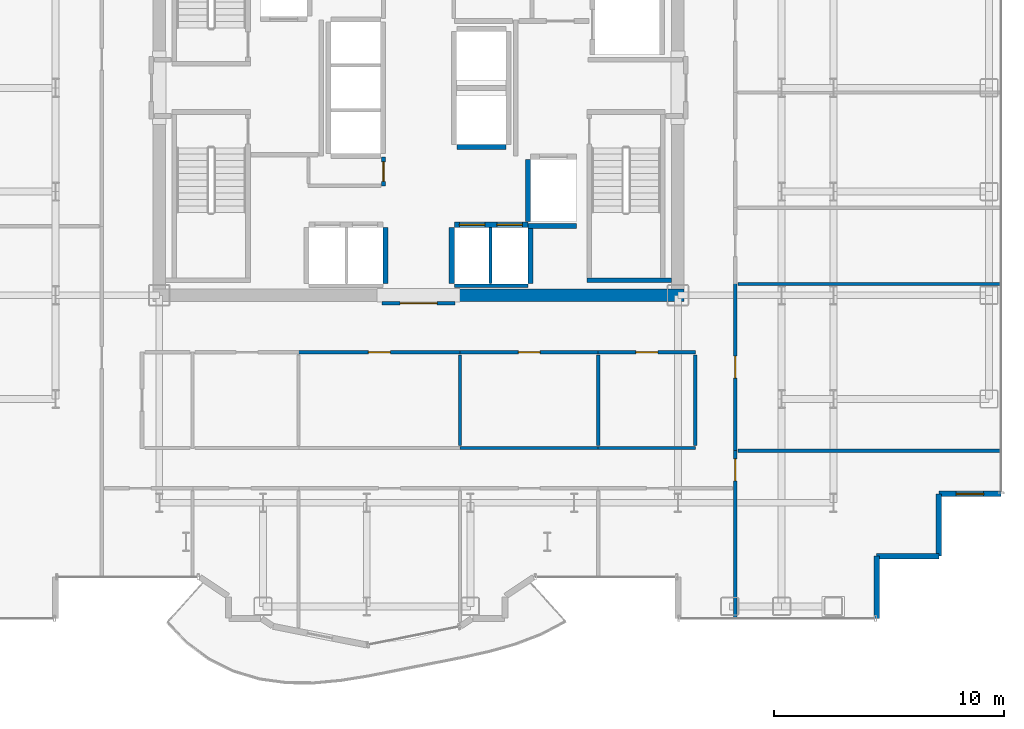
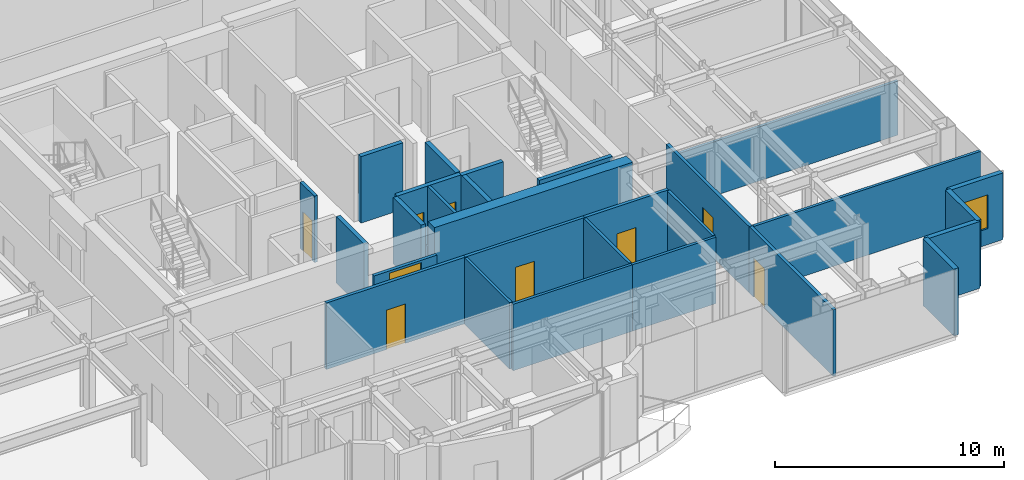
# One storey, part 17 of 22: 29 walls, 9 doors, 1 window, 10 openings.
"""IFC4 building model written with IfcOpenShell, lengths in metres."""

from ifc_helpers import new_model, si_unit, direction, frame, frame_2d, origin, place, context, subcontext, project, spatial, rectangle, extrude, source, transform, mapped, material, layer, layer_set, type_object, element, fill, save


model = new_model("IFC4")

# Units and contexts
model_context = context("Model", 3, precision=1e-05, world=origin(), true_north=direction((0.0, 1.0)))
body_context = subcontext(model_context, "Body", "Model", "MODEL_VIEW")
ifc_project = project(units=[si_unit("LENGTHUNIT", "METRE"), si_unit("AREAUNIT", "SQUARE_METRE"), si_unit("VOLUMEUNIT", "CUBIC_METRE"), si_unit("PLANEANGLEUNIT", "RADIAN"), si_unit("MASSUNIT", "GRAM", prefix="KILO")], contexts=[model_context])

# Site, building, storey
site_placement = place(None, origin())
site = spatial("IfcSite", under=ifc_project, at=site_placement, CompositionType="ELEMENT")
building_placement = place(site_placement, origin())
building = spatial("IfcBuilding", under=site, at=building_placement, Name="Nefas-Gora Pilgrimage Tower", CompositionType="ELEMENT")
storey_placement = place(building_placement, frame((0.0, 0.0, 179.199951171875)))
storey = spatial("IfcBuildingStorey", under=building, at=storey_placement, Name="L44", CompositionType="ELEMENT", Elevation=179.199951171875)

# Walls
ifc_material_1 = material(Name="Concrete C60/75", Category="concrete")
ifc_layer_1 = layer(ifc_material_1, 0.550048828125)
ifc_layer_set_1 = layer_set([ifc_layer_1], Name="Concrete C60/75")
wall_type_1 = type_object("IfcWallType", Name="SW-CORE-550", PredefinedType="SHEAR", material=ifc_layer_set_1)
shared_shape_1 = source(origin(), body_context, "Body", "SweptSolid", [
    extrude(rectangle(XDim=9.974853515625, YDim=0.550048828125, at=frame_2d((4.9873046875, 0.0))), origin(), (0.0, 0.0, 1.0), 3.800048828125),
])
wall_1_placement = place(storey_placement, frame((1.550048828125, -9.0, 0.0), z_axis=(0.0, 0.0, 1.0), x_axis=(1.0, 0.0, 0.0)))
element("IfcWall", 1, at=wall_1_placement, inside=storey, type_object=wall_type_1, Name="L44 Core Shear Wall S-East", PredefinedType="SHEAR", context=body_context, shape_type="MappedRepresentation", body=[
    mapped(shared_shape_1, transform((0.0, 0.0, 0.0), x_axis=(1.0, 0.0, 0.0), y_axis=(0.0, 1.0, 0.0), z_axis=(0.0, 0.0, 1.0), scale=1.0)),
])
ifc_material_2 = material(Name="Precast concrete C45/55", Category="concrete")
ifc_layer_2 = layer(ifc_material_2, 0.239990234375)
ifc_layer_set_2 = layer_set([ifc_layer_2], Name="Precast concrete C45/55")
wall_type_2 = type_object("IfcWallType", Name="EW-SERR-240", PredefinedType="SHEAR", material=ifc_layer_set_2)
shared_shape_2 = source(origin(), body_context, "Body", "SweptSolid", [
    extrude(rectangle(XDim=2.699951171875, YDim=0.239990234375, at=frame_2d((1.35009765625, 0.0))), origin(), (0.0, 0.0, 1.0), 3.550048828125),
])
for number, where, z_axis, x_axis, name in (
    (2, (19.8701171875, -23.02001953125, 0.0), (0.0, 0.0, 1.0), (0.0, 1.0, 0.0), "L44 Serrated Corner Shear Pier Wall 2"),
    (3, (19.8701171875, -20.320068359375, 0.0), (0.0, 0.0, 1.0), (1.0, 0.0, 0.0), "L44 Serrated Corner Shear Pier Wall 3"),
    (4, (22.570068359375, -20.320068359375, 0.0), (0.0, 0.0, 1.0), (0.0, 1.0, 0.0), "L44 Serrated Corner Shear Pier Wall 4"),
):
    element("IfcWall", number, at=place(storey_placement, frame(where, z_axis=z_axis, x_axis=x_axis)), inside=storey, type_object=wall_type_2, Name=name, PredefinedType="SHEAR", context=body_context, shape_type="MappedRepresentation", body=[
        mapped(shared_shape_2, transform((0.0, 0.0, 0.0), x_axis=(1.0, 0.0, 0.0), y_axis=(0.0, 1.0, 0.0), z_axis=(0.0, 0.0, 1.0), scale=1.0)),
    ])

# Wall, opening, window
wall_2_placement = place(storey_placement, frame((22.570068359375, -17.6201171875, 0.0), z_axis=(0.0, 0.0, 1.0), x_axis=(1.0, 0.0, 0.0)))
wall_2 = element("IfcWall", 5, at=wall_2_placement, inside=storey, type_object=wall_type_2, Name="L44 Serrated Corner Shear Pier Wall 5", PredefinedType="SHEAR", context=body_context, shape_type="MappedRepresentation", body=[
    mapped(shared_shape_2, transform((0.0, 0.0, 0.0), x_axis=(1.0, 0.0, 0.0), y_axis=(0.0, 1.0, 0.0), z_axis=(0.0, 0.0, 1.0), scale=1.0)),
])
opening_1_placement = place(wall_2_placement, frame((0.75, 0.0, 0.85009765625)))
opening_1 = element("IfcOpeningElement", 6, at=opening_1_placement, cuts=wall_2, Name="Opening W-V1", PredefinedType="OPENING", context=body_context, shape_type="SweptSolid", body=[
    extrude(rectangle(XDim=1.199951171875, YDim=1.800048828125, at=frame_2d((0.60009765625, 0.89990234375))), frame((0.0, 0.1298828125, 0.0), z_axis=(0.0, -1.0, 0.0), x_axis=(1.0, 0.0, 0.0)), (0.0, 0.0, 1.0), 0.260009765625),
])
ifc_material_3 = material(Name="Dark ceramic-fritted operable aluminium-glass window", Category="aluminium")
window_type = type_object("IfcWindowType", Name="WIN-VENT-1200x1800", PartitioningType="SINGLE_PANEL", PredefinedType="WINDOW", material=ifc_material_3)
shared_shape_3 = source(origin(), body_context, "Body", "SweptSolid", [
    extrude(rectangle(XDim=1.199951171875, YDim=1.800048828125, at=frame_2d((0.60009765625, 0.89990234375))), frame((0.0, 0.030029296875, 0.0), z_axis=(0.0, -1.0, 0.0), x_axis=(1.0, 0.0, 0.0)), (0.0, 0.0, 1.0), 0.06005859375),
])
window_placement = place(opening_1_placement, origin())
window = element("IfcWindow", 7, at=window_placement, inside=storey, type_object=window_type, Name="L44 Operable Parallel-Outswing Window 5", OverallHeight=1.800048828125, OverallWidth=1.199951171875, PartitioningType="SINGLE_PANEL", PredefinedType="WINDOW", context=body_context, shape_type="MappedRepresentation", body=[
    mapped(shared_shape_3, transform((0.0, 0.0, 0.0), x_axis=(1.0, 0.0, 0.0), y_axis=(0.0, 1.0, 0.0), z_axis=(0.0, 0.0, 1.0), scale=1.0)),
])
fill(opening_1, window)

# Walls
ifc_material_4 = material(Name="Concrete C45/55", Category="concrete")
ifc_layer_3 = layer(ifc_material_4, 0.199951171875)
ifc_layer_set_3 = layer_set([ifc_layer_3], Name="Concrete C45/55")
wall_type_3 = type_object("IfcWallType", Name="IW-STAIR-200", PredefinedType="SOLIDWALL", material=ifc_layer_set_3)
shared_shape_4 = source(origin(), body_context, "Body", "SweptSolid", [
    extrude(rectangle(XDim=3.679931640625, YDim=0.199951171875, at=frame_2d((1.83984375, 0.0))), origin(), (0.0, 0.0, 1.0), 3.800048828125),
])
wall_3_placement = place(storey_placement, frame((7.300048828125, -8.35009765625, 0.0), z_axis=(0.0, 0.0, 1.0), x_axis=(1.0, 0.0, 0.0)))
element("IfcWall", 8, at=wall_3_placement, inside=storey, type_object=wall_type_3, Name="L44 Stairwell Shear Wall ST-02-far", PredefinedType="SOLIDWALL", context=body_context, shape_type="MappedRepresentation", body=[
    mapped(shared_shape_4, transform((0.0, 0.0, 0.0), x_axis=(1.0, 0.0, 0.0), y_axis=(0.0, 1.0, 0.0), z_axis=(0.0, 0.0, 1.0), scale=1.0)),
])
ifc_material_5 = material(Name="Gypsum acoustic stud partition")
ifc_layer_4 = layer(ifc_material_5, 0.159912109375)
ifc_layer_set_4 = layer_set([ifc_layer_4], Name="Gypsum acoustic stud partition")
wall_type_4 = type_object("IfcWallType", Name="IW-CORR-160", PredefinedType="PARTITIONING", material=ifc_layer_set_4)
shared_shape_5 = source(origin(), body_context, "Body", "SweptSolid", [
    extrude(rectangle(XDim=3.199951171875, YDim=0.159912109375, at=frame_2d((1.60009765625, 0.0))), origin(), (0.0, 0.0, 1.0), 2.425048828125),
])
wall_4_placement = place(storey_placement, frame((1.550048828125, -8.580078125, 0.0), z_axis=(0.0, 0.0, 1.0), x_axis=(1.0, 0.0, 0.0)))
element("IfcWall", 9, at=wall_4_placement, inside=storey, type_object=wall_type_4, Name="L44 Hoistway Wall PL2-E-S", PredefinedType="PARTITIONING", context=body_context, shape_type="MappedRepresentation", body=[
    mapped(shared_shape_5, transform((0.0, 0.0, 0.0), x_axis=(1.0, 0.0, 0.0), y_axis=(0.0, 1.0, 0.0), z_axis=(0.0, 0.0, 1.0), scale=1.0)),
])
ifc_material_6 = material(Name="Concrete C40/50", Category="concrete")
ifc_layer_5 = layer(ifc_material_6, 0.219970703125)
ifc_layer_set_5 = layer_set([ifc_layer_5], Name="Concrete C40/50")
wall_type_5 = type_object("IfcWallType", Name="IW-SHAFT-220", PredefinedType="SOLIDWALL", material=ifc_layer_set_5)
shared_shape_6 = source(origin(), body_context, "Body", "SweptSolid", [
    extrude(rectangle(XDim=2.679931640625, YDim=0.219970703125, at=frame_2d((1.33984375, 0.0))), origin(), (0.0, 0.0, 1.0), 3.53515625),
])
wall_5_placement = place(storey_placement, frame((4.739990234375, -3.110107421875, 0.0), z_axis=(0.0, 0.0, 1.0), x_axis=(0.0, -1.0, 0.0)))
element("IfcWall", 10, at=wall_5_placement, inside=storey, type_object=wall_type_5, Name="L44 Hoistway Wall FFL-02-W", PredefinedType="SOLIDWALL", context=body_context, shape_type="MappedRepresentation", body=[
    mapped(shared_shape_6, transform((0.0, 0.0, 0.0), x_axis=(1.0, 0.0, 0.0), y_axis=(0.0, 1.0, 0.0), z_axis=(0.0, 0.0, 1.0), scale=1.0)),
])

# Wall, openings, doors
shared_shape_7 = source(origin(), body_context, "Body", "SweptSolid", [
    extrude(rectangle(XDim=3.199951171875, YDim=0.219970703125, at=frame_2d((1.60009765625, 0.0))), origin(), (0.0, 0.0, 1.0), 3.53515625),
])
wall_6_placement = place(storey_placement, frame((4.75, -5.93994140625, 0.0), z_axis=(0.0, 0.0, 1.0), x_axis=(-1.0, 0.0, 0.0)))
wall_6 = element("IfcWall", 11, at=wall_6_placement, inside=storey, type_object=wall_type_5, Name="L44 Hoistway Wall PL2-E-N", PredefinedType="SOLIDWALL", context=body_context, shape_type="MappedRepresentation", body=[
    mapped(shared_shape_7, transform((0.0, 0.0, 0.0), x_axis=(1.0, 0.0, 0.0), y_axis=(0.0, 1.0, 0.0), z_axis=(0.0, 0.0, 1.0), scale=1.0)),
])
opening_2_placement = place(wall_6_placement, frame((1.875, 0.0, 0.0)))
opening_2 = element("IfcOpeningElement", 12, at=opening_2_placement, cuts=wall_6, Name="Opening LD-01", PredefinedType="OPENING", context=body_context, shape_type="SweptSolid", body=[
    extrude(rectangle(XDim=1.10009765625, YDim=2.199951171875, at=frame_2d((0.550048828125, 1.10009765625))), frame((0.0, 0.119873046875, 0.0), z_axis=(0.0, -1.0, 0.0), x_axis=(1.0, 0.0, 0.0)), (0.0, 0.0, 1.0), 0.239990234375),
])
opening_3_placement = place(wall_6_placement, frame((0.25, 0.0, 0.0)))
opening_3 = element("IfcOpeningElement", 13, at=opening_3_placement, cuts=wall_6, Name="Opening LD-01", PredefinedType="OPENING", context=body_context, shape_type="SweptSolid", body=[
    extrude(rectangle(XDim=1.10009765625, YDim=2.199951171875, at=frame_2d((0.550048828125, 1.10009765625))), frame((0.0, 0.119873046875, 0.0), z_axis=(0.0, -1.0, 0.0), x_axis=(1.0, 0.0, 0.0)), (0.0, 0.0, 1.0), 0.239990234375),
])
ifc_material_7 = material(Name="Brushed stainless sliding lift landing door")
door_type_1 = type_object("IfcDoorType", Name="DR-LIFT-PASS-1100", OperationType="DOUBLE_DOOR_SLIDING", PredefinedType="DOOR", material=ifc_material_7)
shared_shape_8 = source(origin(), body_context, "Body", "SweptSolid", [
    extrude(rectangle(XDim=1.10009765625, YDim=2.199951171875, at=frame_2d((0.550048828125, 1.10009765625))), frame((0.0, 0.02490234375, 0.0), z_axis=(0.0, -1.0, 0.0), x_axis=(1.0, 0.0, 0.0)), (0.0, 0.0, 1.0), 0.050048828125),
])
door_1_placement = place(opening_2_placement, origin())
door_1 = element("IfcDoor", 14, at=door_1_placement, inside=storey, type_object=door_type_1, Name="L44 Sliding Lift Landing Door PL2-03", OperationType="DOUBLE_DOOR_SLIDING", OverallHeight=2.199951171875, OverallWidth=1.10009765625, PredefinedType="DOOR", context=body_context, shape_type="MappedRepresentation", body=[
    mapped(shared_shape_8, transform((0.0, 0.0, 0.0), x_axis=(1.0, 0.0, 0.0), y_axis=(0.0, 1.0, 0.0), z_axis=(0.0, 0.0, 1.0), scale=1.0)),
])
fill(opening_2, door_1)
door_2_placement = place(opening_3_placement, origin())
door_2 = element("IfcDoor", 15, at=door_2_placement, inside=storey, type_object=door_type_1, Name="L44 Sliding Lift Landing Door PL2-04", OperationType="DOUBLE_DOOR_SLIDING", OverallHeight=2.199951171875, OverallWidth=1.10009765625, PredefinedType="DOOR", context=body_context, shape_type="MappedRepresentation", body=[
    mapped(shared_shape_8, transform((0.0, 0.0, 0.0), x_axis=(1.0, 0.0, 0.0), y_axis=(0.0, 1.0, 0.0), z_axis=(0.0, 0.0, 1.0), scale=1.0)),
])
fill(opening_3, door_2)

# Walls
shared_shape_9 = source(origin(), body_context, "Body", "SweptSolid", [
    extrude(rectangle(XDim=2.429931640625, YDim=0.219970703125, at=frame_2d((1.21484375, 0.0))), origin(), (0.0, 0.0, 1.0), 3.53515625),
])
for number, where, z_axis, x_axis, name in (
    (16, (-1.43994140625, -8.489990234375, 0.0), (0.0, 0.0, 1.0), (0.0, 1.0, 0.0), "L44 Hoistway Wall PL2-W-E"),
    (17, (1.43994140625, -6.06005859375, 0.0), (0.0, 0.0, 1.0), (0.0, -1.0, 0.0), "L44 Hoistway Wall PL2-E-W"),
    (18, (4.860107421875, -8.489990234375, 0.0), (0.0, 0.0, 1.0), (0.0, 1.0, 0.0), "L44 Hoistway Wall PL2-E-E"),
):
    element("IfcWall", number, at=place(storey_placement, frame(where, z_axis=z_axis, x_axis=x_axis)), inside=storey, type_object=wall_type_5, Name=name, PredefinedType="SOLIDWALL", context=body_context, shape_type="MappedRepresentation", body=[
        mapped(shared_shape_9, transform((0.0, 0.0, 0.0), x_axis=(1.0, 0.0, 0.0), y_axis=(0.0, 1.0, 0.0), z_axis=(0.0, 0.0, 1.0), scale=1.0)),
    ])
ifc_material_8 = material(Name="Gypsum twin-stud partition")
ifc_layer_6 = layer(ifc_material_8, 0.139892578125)
ifc_layer_set_6 = layer_set([ifc_layer_6], Name="Gypsum twin-stud partition")
wall_type_6 = type_object("IfcWallType", Name="IW-UNIT-140", PredefinedType="PARTITIONING", material=ifc_layer_set_6)
shared_shape_10 = source(origin(), body_context, "Body", "SweptSolid", [
    extrude(rectangle(XDim=2.429931640625, YDim=0.139892578125, at=frame_2d((1.21484375, 0.0))), origin(), (0.0, 0.0, 1.0), 3.53515625),
])
wall_7_placement = place(storey_placement, frame((3.125, -8.489990234375, 0.0), z_axis=(0.0, 0.0, 1.0), x_axis=(0.0, 1.0, 0.0)))
element("IfcWall", 19, at=wall_7_placement, inside=storey, type_object=wall_type_6, Name="L44 Hoistway Wall PL2-E-DIV", PredefinedType="PARTITIONING", context=body_context, shape_type="MappedRepresentation", body=[
    mapped(shared_shape_10, transform((0.0, 0.0, 0.0), x_axis=(1.0, 0.0, 0.0), y_axis=(0.0, 1.0, 0.0), z_axis=(0.0, 0.0, 1.0), scale=1.0)),
])
shared_shape_11 = source(origin(), body_context, "Body", "SweptSolid", [
    extrude(rectangle(XDim=2.130126953125, YDim=0.219970703125, at=frame_2d((1.06494140625, 0.0))), origin(), (0.0, 0.0, 1.0), 3.53515625),
])
wall_8_placement = place(storey_placement, frame((1.659912109375, -2.56005859375, 0.0), z_axis=(0.0, 0.0, 1.0), x_axis=(1.0, 0.0, 0.0)))
element("IfcWall", 20, at=wall_8_placement, inside=storey, type_object=wall_type_5, Name="L44 Hoistway Wall OBS-01-S", PredefinedType="SOLIDWALL", context=body_context, shape_type="MappedRepresentation", body=[
    mapped(shared_shape_11, transform((0.0, 0.0, 0.0), x_axis=(1.0, 0.0, 0.0), y_axis=(0.0, 1.0, 0.0), z_axis=(0.0, 0.0, 1.0), scale=1.0)),
])
shared_shape_12 = source(origin(), body_context, "Body", "SweptSolid", [
    extrude(rectangle(XDim=2.09521484375, YDim=0.219970703125, at=frame_2d((1.047607421875, 0.0))), origin(), (0.0, 0.0, 1.0), 3.53515625),
])
wall_9_placement = place(storey_placement, frame((4.7548828125, -6.0, 0.0), z_axis=(0.0, 0.0, 1.0), x_axis=(1.0, 0.0, 0.0)))
element("IfcWall", 21, at=wall_9_placement, inside=storey, type_object=wall_type_5, Name="L44 Riser Shaft Wall 3", PredefinedType="SOLIDWALL", context=body_context, shape_type="MappedRepresentation", body=[
    mapped(shared_shape_12, transform((0.0, 0.0, 0.0), x_axis=(1.0, 0.0, 0.0), y_axis=(0.0, 1.0, 0.0), z_axis=(0.0, 0.0, 1.0), scale=1.0)),
])

# Wall, opening, door
shared_shape_13 = source(origin(), body_context, "Body", "SweptSolid", [
    extrude(rectangle(XDim=1.25, YDim=0.159912109375, at=frame_2d((0.625, 0.0))), origin(), (0.0, 0.0, 1.0), 3.53515625),
])
wall_10_placement = place(storey_placement, frame((-1.52001953125, -4.260009765625, 0.0), z_axis=(0.0, 0.0, 1.0), x_axis=(0.0, 1.0, 0.0)))
wall_10 = element("IfcWall", 22, at=wall_10_placement, inside=storey, type_object=wall_type_4, Name="L44 Pilgrim Baggage and Gear Vault Wall 20", PredefinedType="PARTITIONING", context=body_context, shape_type="MappedRepresentation", body=[
    mapped(shared_shape_13, transform((0.0, 0.0, 0.0), x_axis=(1.0, 0.0, 0.0), y_axis=(0.0, 1.0, 0.0), z_axis=(0.0, 0.0, 1.0), scale=1.0)),
])
opening_4_placement = place(wall_10_placement, frame((0.199951171875, 0.0, 0.0)))
opening_4 = element("IfcOpeningElement", 23, at=opening_4_placement, cuts=wall_10, Name="Opening ID-BT1", PredefinedType="OPENING", context=body_context, shape_type="SweptSolid", body=[
    extrude(rectangle(XDim=0.85009765625, YDim=2.10009765625, at=frame_2d((0.425048828125, 1.050048828125))), frame((0.0, 0.08984375, 0.0), z_axis=(0.0, -1.0, 0.0), x_axis=(1.0, 0.0, 0.0)), (0.0, 0.0, 1.0), 0.179931640625),
])
ifc_material_9 = material(Name="Moisture-resistant fire-rated timber door", Category="wood")
door_type_2 = type_object("IfcDoorType", Name="DR-INT-BATH-850", OperationType="NOTDEFINED", PredefinedType="DOOR", material=ifc_material_9)
shared_shape_14 = source(origin(), body_context, "Body", "SweptSolid", [
    extrude(rectangle(XDim=0.85009765625, YDim=2.10009765625, at=frame_2d((0.425048828125, 1.050048828125))), frame((0.0, 0.02490234375, 0.0), z_axis=(0.0, -1.0, 0.0), x_axis=(1.0, 0.0, 0.0)), (0.0, 0.0, 1.0), 0.050048828125),
])
door_3_placement = place(opening_4_placement, origin())
door_3 = element("IfcDoor", 24, at=door_3_placement, inside=storey, type_object=door_type_2, Name="L44 Pilgrim Baggage and Gear Vault Door 8", OperationType="SINGLE_SWING_LEFT", OverallHeight=2.10009765625, OverallWidth=0.85009765625, PredefinedType="DOOR", context=body_context, shape_type="MappedRepresentation", body=[
    mapped(shared_shape_14, transform((0.0, 0.0, 0.0), x_axis=(1.0, 0.0, 0.0), y_axis=(0.0, 1.0, 0.0), z_axis=(0.0, 0.0, 1.0), scale=1.0)),
])
fill(opening_4, door_3)

shared_shape_15 = source(origin(), body_context, "Body", "SweptSolid", [
    extrude(rectangle(XDim=6.010009765625, YDim=0.159912109375, at=frame_2d((3.0048828125, 0.0))), origin(), (0.0, 0.0, 1.0), 3.53515625),
])
wall_11_placement = place(storey_placement, frame((1.794921875, -11.469970703125, 0.0), z_axis=(0.0, 0.0, 1.0), x_axis=(1.0, 0.0, 0.0)))
wall_11 = element("IfcWall", 25, at=wall_11_placement, inside=storey, type_object=wall_type_4, Name="L44 Pilgrim Contemplative Lounge Partition Wall 82", PredefinedType="PARTITIONING", context=body_context, shape_type="MappedRepresentation", body=[
    mapped(shared_shape_15, transform((0.0, 0.0, 0.0), x_axis=(1.0, 0.0, 0.0), y_axis=(0.0, 1.0, 0.0), z_axis=(0.0, 0.0, 1.0), scale=1.0)),
])
opening_5_placement = place(wall_11_placement, frame((2.530029296875, 0.0, 0.0)))
opening_5 = element("IfcOpeningElement", 26, at=opening_5_placement, cuts=wall_11, Name="Opening ID-GR1", PredefinedType="OPENING", context=body_context, shape_type="SweptSolid", body=[
    extrude(rectangle(XDim=0.949951171875, YDim=2.10009765625, at=frame_2d((0.47509765625, 1.050048828125))), frame((0.0, 0.08984375, 0.0), z_axis=(0.0, -1.0, 0.0), x_axis=(1.0, 0.0, 0.0)), (0.0, 0.0, 1.0), 0.179931640625),
])
ifc_material_10 = material(Name="Solid core oak fire-rated guest entrance door")
door_type_3 = type_object("IfcDoorType", Name="DR-INT-GUEST-950", OperationType="NOTDEFINED", PredefinedType="DOOR", material=ifc_material_10)
shared_shape_16 = source(origin(), body_context, "Body", "SweptSolid", [
    extrude(rectangle(XDim=0.949951171875, YDim=2.10009765625, at=frame_2d((0.47509765625, 1.050048828125))), frame((0.0, 0.02490234375, 0.0), z_axis=(0.0, -1.0, 0.0), x_axis=(1.0, 0.0, 0.0)), (0.0, 0.0, 1.0), 0.050048828125),
])
door_4_placement = place(opening_5_placement, origin())
door_4 = element("IfcDoor", 27, at=door_4_placement, inside=storey, type_object=door_type_3, Name="L44 Pilgrim Contemplative Lounge Door 36", OperationType="SINGLE_SWING_LEFT", OverallHeight=2.10009765625, OverallWidth=0.949951171875, PredefinedType="DOOR", context=body_context, shape_type="MappedRepresentation", body=[
    mapped(shared_shape_16, transform((0.0, 0.0, 0.0), x_axis=(1.0, 0.0, 0.0), y_axis=(0.0, 1.0, 0.0), z_axis=(0.0, 0.0, 1.0), scale=1.0)),
])
fill(opening_5, door_4)

shared_shape_17 = source(origin(), body_context, "Body", "SweptSolid", [
    extrude(rectangle(XDim=3.16015625, YDim=0.159912109375, at=frame_2d((1.580078125, 0.0))), origin(), (0.0, 0.0, 1.0), 2.425048828125),
])
wall_12_placement = place(storey_placement, frame((-1.580078125, -9.35009765625, 0.0), z_axis=(0.0, 0.0, 1.0), x_axis=(1.0, 0.0, 0.0)))
wall_12 = element("IfcWall", 28, at=wall_12_placement, inside=storey, type_object=wall_type_4, Name="L44 Central Lift Lobby South Portal Wall 16", PredefinedType="PARTITIONING", context=body_context, shape_type="MappedRepresentation", body=[
    mapped(shared_shape_17, transform((0.0, 0.0, 0.0), x_axis=(1.0, 0.0, 0.0), y_axis=(0.0, 1.0, 0.0), z_axis=(0.0, 0.0, 1.0), scale=1.0)),
])
opening_6_placement = place(wall_12_placement, frame((0.780029296875, 0.0, 0.0)))
opening_6 = element("IfcOpeningElement", 29, at=opening_6_placement, cuts=wall_12, Name="Opening ID-HL1", PredefinedType="OPENING", context=body_context, shape_type="SweptSolid", body=[
    extrude(rectangle(XDim=1.60009765625, YDim=2.300048828125, at=frame_2d((0.800048828125, 1.14990234375))), frame((0.0, 0.08984375, 0.0), z_axis=(0.0, -1.0, 0.0), x_axis=(1.0, 0.0, 0.0)), (0.0, 0.0, 1.0), 0.179931640625),
])
ifc_material_11 = material(Name="Double acoustic timber assembly hall door", Category="wood")
door_type_4 = type_object("IfcDoorType", Name="DR-INT-HALL-1600", OperationType="DOUBLE_DOOR_SINGLE_SWING", PredefinedType="DOOR", material=ifc_material_11)
shared_shape_18 = source(origin(), body_context, "Body", "SweptSolid", [
    extrude(rectangle(XDim=1.60009765625, YDim=2.300048828125, at=frame_2d((0.800048828125, 1.14990234375))), frame((0.0, 0.02490234375, 0.0), z_axis=(0.0, -1.0, 0.0), x_axis=(1.0, 0.0, 0.0)), (0.0, 0.0, 1.0), 0.050048828125),
])
door_5_placement = place(opening_6_placement, origin())
door_5 = element("IfcDoor", 30, at=door_5_placement, inside=storey, type_object=door_type_4, Name="L44 Central Lift Lobby South Portal Door 6", OperationType="DOUBLE_DOOR_SINGLE_SWING", OverallHeight=2.300048828125, OverallWidth=1.60009765625, PredefinedType="DOOR", context=body_context, shape_type="MappedRepresentation", body=[
    mapped(shared_shape_18, transform((0.0, 0.0, 0.0), x_axis=(1.0, 0.0, 0.0), y_axis=(0.0, 1.0, 0.0), z_axis=(0.0, 0.0, 1.0), scale=1.0)),
])
fill(opening_6, door_5)

# Walls
shared_shape_19 = source(origin(), body_context, "Body", "SweptSolid", [
    extrude(rectangle(XDim=11.429931640625, YDim=0.139892578125, at=frame_2d((5.71484375, 0.0))), origin(), (0.0, 0.0, 1.0), 2.875),
])
wall_13_placement = place(storey_placement, frame((13.860107421875, -8.5048828125, 0.0), z_axis=(0.0, 0.0, 1.0), x_axis=(1.0, 0.0, 0.0)))
element("IfcWall", 31, at=wall_13_placement, inside=storey, type_object=wall_type_6, Name="L44 Pilgrim Fellowship Seminar Room Partition Wall 36", PredefinedType="PARTITIONING", context=body_context, shape_type="MappedRepresentation", body=[
    mapped(shared_shape_19, transform((0.0, 0.0, 0.0), x_axis=(1.0, 0.0, 0.0), y_axis=(0.0, 1.0, 0.0), z_axis=(0.0, 0.0, 1.0), scale=1.0)),
])
shared_shape_20 = source(origin(), body_context, "Body", "SweptSolid", [
    extrude(rectangle(XDim=11.429931640625, YDim=0.139892578125, at=frame_2d((5.71484375, 0.0))), origin(), (0.0, 0.0, 1.0), 3.53515625),
])
wall_14_placement = place(storey_placement, frame((13.860107421875, -15.74755859375, 0.0), z_axis=(0.0, 0.0, 1.0), x_axis=(1.0, 0.0, 0.0)))
element("IfcWall", 32, at=wall_14_placement, inside=storey, type_object=wall_type_6, Name="L44 Pilgrim Tea and Beverage Pantry Partition Wall 34", PredefinedType="PARTITIONING", context=body_context, shape_type="MappedRepresentation", body=[
    mapped(shared_shape_20, transform((0.0, 0.0, 0.0), x_axis=(1.0, 0.0, 0.0), y_axis=(0.0, 1.0, 0.0), z_axis=(0.0, 0.0, 1.0), scale=1.0)),
])

# Wall, opening, door
shared_shape_21 = source(origin(), body_context, "Body", "SweptSolid", [
    extrude(rectangle(XDim=7.302490234375, YDim=0.159912109375, at=frame_2d((3.6513671875, 0.0))), origin(), (0.0, 0.0, 1.0), 3.53515625),
])
wall_15_placement = place(storey_placement, frame((13.739990234375, -23.0400390625, 0.0), z_axis=(0.0, 0.0, 1.0), x_axis=(0.0, 1.0, 0.0)))
wall_15 = element("IfcWall", 33, at=wall_15_placement, inside=storey, type_object=wall_type_4, Name="L44 Pilgrim Tea and Beverage Pantry Partition Wall 33", PredefinedType="PARTITIONING", context=body_context, shape_type="MappedRepresentation", body=[
    mapped(shared_shape_21, transform((0.0, 0.0, 0.0), x_axis=(1.0, 0.0, 0.0), y_axis=(0.0, 1.0, 0.0), z_axis=(0.0, 0.0, 1.0), scale=1.0)),
])
opening_7_placement = place(wall_15_placement, frame((5.9912109375, 0.0, 0.0)))
opening_7 = element("IfcOpeningElement", 34, at=opening_7_placement, cuts=wall_15, Name="Opening ID-GR1", PredefinedType="OPENING", context=body_context, shape_type="SweptSolid", body=[
    extrude(rectangle(XDim=0.949951171875, YDim=2.10009765625, at=frame_2d((0.47509765625, 1.050048828125))), frame((0.0, 0.08984375, 0.0), z_axis=(0.0, -1.0, 0.0), x_axis=(1.0, 0.0, 0.0)), (0.0, 0.0, 1.0), 0.179931640625),
])
door_6_placement = place(opening_7_placement, origin())
door_6 = element("IfcDoor", 35, at=door_6_placement, inside=storey, type_object=door_type_3, Name="L44 Pilgrim Tea and Beverage Pantry Door 14", OperationType="SINGLE_SWING_LEFT", OverallHeight=2.10009765625, OverallWidth=0.949951171875, PredefinedType="DOOR", context=body_context, shape_type="MappedRepresentation", body=[
    mapped(shared_shape_16, transform((0.0, 0.0, 0.0), x_axis=(1.0, 0.0, 0.0), y_axis=(0.0, 1.0, 0.0), z_axis=(0.0, 0.0, 1.0), scale=1.0)),
])
fill(opening_7, door_6)

shared_shape_22 = source(origin(), body_context, "Body", "SweptSolid", [
    extrude(rectangle(XDim=7.242431640625, YDim=0.159912109375, at=frame_2d((3.62109375, 0.0))), origin(), (0.0, 0.0, 1.0), 3.53515625),
])
wall_16_placement = place(storey_placement, frame((13.739990234375, -15.737548828125, 0.0), z_axis=(0.0, 0.0, 1.0), x_axis=(0.0, 1.0, 0.0)))
wall_16 = element("IfcWall", 36, at=wall_16_placement, inside=storey, type_object=wall_type_4, Name="L44 Pilgrim Fellowship Seminar Room Partition Wall 35", PredefinedType="PARTITIONING", context=body_context, shape_type="MappedRepresentation", body=[
    mapped(shared_shape_22, transform((0.0, 0.0, 0.0), x_axis=(1.0, 0.0, 0.0), y_axis=(0.0, 1.0, 0.0), z_axis=(0.0, 0.0, 1.0), scale=1.0)),
])
opening_8_placement = place(wall_16_placement, frame((3.146240234375, 0.0, 0.0)))
opening_8 = element("IfcOpeningElement", 37, at=opening_8_placement, cuts=wall_16, Name="Opening ID-GR1", PredefinedType="OPENING", context=body_context, shape_type="SweptSolid", body=[
    extrude(rectangle(XDim=0.949951171875, YDim=2.10009765625, at=frame_2d((0.47509765625, 1.050048828125))), frame((0.0, 0.08984375, 0.0), z_axis=(0.0, -1.0, 0.0), x_axis=(1.0, 0.0, 0.0)), (0.0, 0.0, 1.0), 0.179931640625),
])
door_7_placement = place(opening_8_placement, origin())
door_7 = element("IfcDoor", 38, at=door_7_placement, inside=storey, type_object=door_type_3, Name="L44 Pilgrim Fellowship Seminar Room Door 15", OperationType="SINGLE_SWING_RIGHT", OverallHeight=2.10009765625, OverallWidth=0.949951171875, PredefinedType="DOOR", context=body_context, shape_type="MappedRepresentation", body=[
    mapped(shared_shape_16, transform((0.0, 0.0, 0.0), x_axis=(1.0, 0.0, 0.0), y_axis=(0.0, 1.0, 0.0), z_axis=(0.0, 0.0, 1.0), scale=1.0)),
])
fill(opening_8, door_7)

# Walls
shared_shape_23 = source(origin(), body_context, "Body", "SweptSolid", [
    extrude(rectangle(XDim=3.929931640625, YDim=0.139892578125, at=frame_2d((1.96484375, 0.0))), origin(), (0.0, 0.0, 1.0), 3.53515625),
])
for number, where, z_axis, x_axis, name in (
    (39, (1.794921875, -15.52001953125, 0.0), (0.0, 0.0, 1.0), (0.0, 1.0, 0.0), "L44 Pilgrim Contemplative Lounge Partition Wall 79"),
    (40, (7.794921875, -15.52001953125, 0.0), (0.0, 0.0, 1.0), (0.0, 1.0, 0.0), "L44 Pilgrim Contemplative Lounge Partition Wall 84"),
    (41, (12.0, -15.52001953125, 0.0), (0.0, 0.0, 1.0), (0.0, 1.0, 0.0), "L44 Pilgrim Contemplative Lounge Partition Wall 88"),
):
    element("IfcWall", number, at=place(storey_placement, frame(where, z_axis=z_axis, x_axis=x_axis)), inside=storey, type_object=wall_type_6, Name=name, PredefinedType="PARTITIONING", context=body_context, shape_type="MappedRepresentation", body=[
        mapped(shared_shape_23, transform((0.0, 0.0, 0.0), x_axis=(1.0, 0.0, 0.0), y_axis=(0.0, 1.0, 0.0), z_axis=(0.0, 0.0, 1.0), scale=1.0)),
    ])
shared_shape_24 = source(origin(), body_context, "Body", "SweptSolid", [
    extrude(rectangle(XDim=6.010009765625, YDim=0.139892578125, at=frame_2d((3.0048828125, 0.0))), origin(), (0.0, 0.0, 1.0), 3.53515625),
])
wall_17_placement = place(storey_placement, frame((1.794921875, -15.6298828125, 0.0), z_axis=(0.0, 0.0, 1.0), x_axis=(1.0, 0.0, 0.0)))
element("IfcWall", 42, at=wall_17_placement, inside=storey, type_object=wall_type_6, Name="L44 Pilgrim Contemplative Lounge Partition Wall 83", PredefinedType="PARTITIONING", context=body_context, shape_type="MappedRepresentation", body=[
    mapped(shared_shape_24, transform((0.0, 0.0, 0.0), x_axis=(1.0, 0.0, 0.0), y_axis=(0.0, 1.0, 0.0), z_axis=(0.0, 0.0, 1.0), scale=1.0)),
])

# Wall, opening, door
shared_shape_25 = source(origin(), body_context, "Body", "SweptSolid", [
    extrude(rectangle(XDim=4.215087890625, YDim=0.159912109375, at=frame_2d((2.107421875, 0.0))), origin(), (0.0, 0.0, 1.0), 3.53515625),
])
wall_18_placement = place(storey_placement, frame((7.794921875, -11.469970703125, 0.0), z_axis=(0.0, 0.0, 1.0), x_axis=(1.0, 0.0, 0.0)))
wall_18 = element("IfcWall", 43, at=wall_18_placement, inside=storey, type_object=wall_type_4, Name="L44 Pilgrim Contemplative Lounge Partition Wall 86", PredefinedType="PARTITIONING", context=body_context, shape_type="MappedRepresentation", body=[
    mapped(shared_shape_25, transform((0.0, 0.0, 0.0), x_axis=(1.0, 0.0, 0.0), y_axis=(0.0, 1.0, 0.0), z_axis=(0.0, 0.0, 1.0), scale=1.0)),
])
opening_9_placement = place(wall_18_placement, frame((1.632568359375, 0.0, 0.0)))
opening_9 = element("IfcOpeningElement", 44, at=opening_9_placement, cuts=wall_18, Name="Opening ID-GR1", PredefinedType="OPENING", context=body_context, shape_type="SweptSolid", body=[
    extrude(rectangle(XDim=0.949951171875, YDim=2.10009765625, at=frame_2d((0.47509765625, 1.050048828125))), frame((0.0, 0.08984375, 0.0), z_axis=(0.0, -1.0, 0.0), x_axis=(1.0, 0.0, 0.0)), (0.0, 0.0, 1.0), 0.179931640625),
])
door_8_placement = place(opening_9_placement, origin())
door_8 = element("IfcDoor", 45, at=door_8_placement, inside=storey, type_object=door_type_3, Name="L44 Pilgrim Contemplative Lounge Door 38", OperationType="SINGLE_SWING_LEFT", OverallHeight=2.10009765625, OverallWidth=0.949951171875, PredefinedType="DOOR", context=body_context, shape_type="MappedRepresentation", body=[
    mapped(shared_shape_16, transform((0.0, 0.0, 0.0), x_axis=(1.0, 0.0, 0.0), y_axis=(0.0, 1.0, 0.0), z_axis=(0.0, 0.0, 1.0), scale=1.0)),
])
fill(opening_9, door_8)

# Wall
shared_shape_26 = source(origin(), body_context, "Body", "SweptSolid", [
    extrude(rectangle(XDim=4.215087890625, YDim=0.139892578125, at=frame_2d((2.107421875, 0.0))), origin(), (0.0, 0.0, 1.0), 3.53515625),
])
wall_19_placement = place(storey_placement, frame((7.794921875, -15.6298828125, 0.0), z_axis=(0.0, 0.0, 1.0), x_axis=(1.0, 0.0, 0.0)))
element("IfcWall", 46, at=wall_19_placement, inside=storey, type_object=wall_type_6, Name="L44 Pilgrim Contemplative Lounge Partition Wall 87", PredefinedType="PARTITIONING", context=body_context, shape_type="MappedRepresentation", body=[
    mapped(shared_shape_26, transform((0.0, 0.0, 0.0), x_axis=(1.0, 0.0, 0.0), y_axis=(0.0, 1.0, 0.0), z_axis=(0.0, 0.0, 1.0), scale=1.0)),
])

# Wall, opening, door
shared_shape_27 = source(origin(), body_context, "Body", "SweptSolid", [
    extrude(rectangle(XDim=7.010009765625, YDim=0.159912109375, at=frame_2d((3.5048828125, 0.0))), origin(), (0.0, 0.0, 1.0), 3.53515625),
])
wall_20_placement = place(storey_placement, frame((-5.205078125, -11.469970703125, 0.0), z_axis=(0.0, 0.0, 1.0), x_axis=(1.0, 0.0, 0.0)))
wall_20 = element("IfcWall", 47, at=wall_20_placement, inside=storey, type_object=wall_type_4, Name="L44 Pilgrim Contemplative Lounge Partition Wall 77", PredefinedType="PARTITIONING", context=body_context, shape_type="MappedRepresentation", body=[
    mapped(shared_shape_27, transform((0.0, 0.0, 0.0), x_axis=(1.0, 0.0, 0.0), y_axis=(0.0, 1.0, 0.0), z_axis=(0.0, 0.0, 1.0), scale=1.0)),
])
opening_10_placement = place(wall_20_placement, frame((3.030029296875, 0.0, 0.0)))
opening_10 = element("IfcOpeningElement", 48, at=opening_10_placement, cuts=wall_20, Name="Opening ID-GR1", PredefinedType="OPENING", context=body_context, shape_type="SweptSolid", body=[
    extrude(rectangle(XDim=0.949951171875, YDim=2.10009765625, at=frame_2d((0.47509765625, 1.050048828125))), frame((0.0, 0.08984375, 0.0), z_axis=(0.0, -1.0, 0.0), x_axis=(1.0, 0.0, 0.0)), (0.0, 0.0, 1.0), 0.179931640625),
])
door_9_placement = place(opening_10_placement, origin())
door_9 = element("IfcDoor", 49, at=door_9_placement, inside=storey, type_object=door_type_3, Name="L44 Pilgrim Contemplative Lounge Door 34", OperationType="SINGLE_SWING_LEFT", OverallHeight=2.10009765625, OverallWidth=0.949951171875, PredefinedType="DOOR", context=body_context, shape_type="MappedRepresentation", body=[
    mapped(shared_shape_16, transform((0.0, 0.0, 0.0), x_axis=(1.0, 0.0, 0.0), y_axis=(0.0, 1.0, 0.0), z_axis=(0.0, 0.0, 1.0), scale=1.0)),
])
fill(opening_10, door_9)

save(model, "model.ifc")
